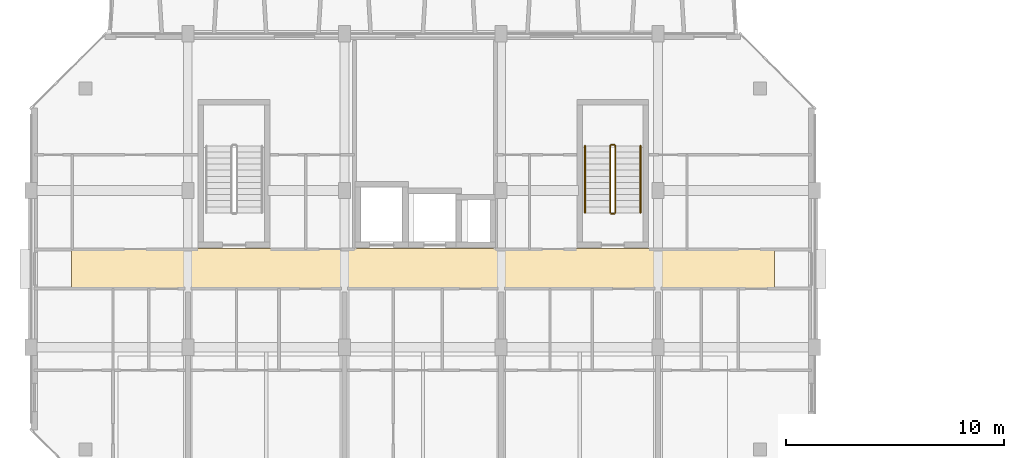
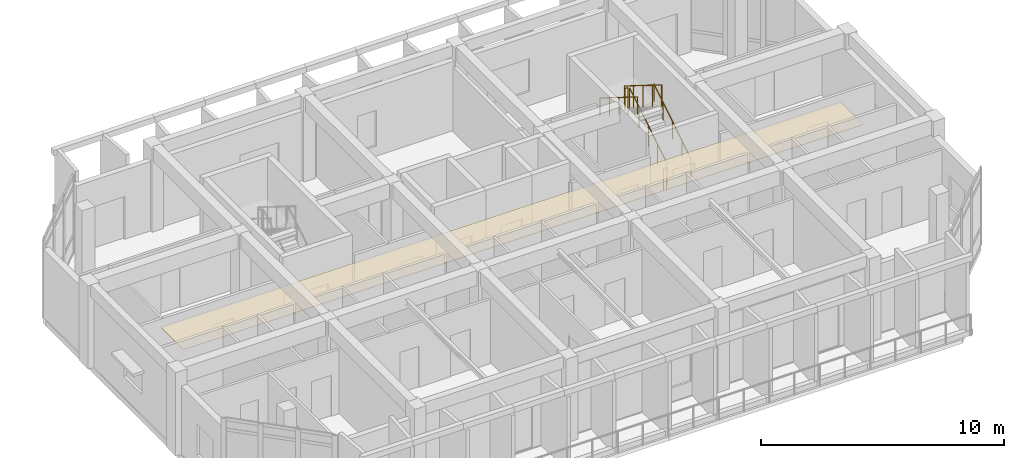
# One storey, part 70 of 85: 6 railings, 1 covering.
"""IFC4 building model written with IfcOpenShell, lengths in metres."""

from ifc_helpers import new_model, si_unit, direction, frame, origin, origin_2d, place, context, subcontext, project, spatial, polyline, circle, outline, extrude, material, layer, layer_set, type_object, element, save


model = new_model("IFC4")

# Units and contexts
model_context = context("Model", 3, precision=1e-05, world=origin(), true_north=direction((0.0, 1.0)))
body_context = subcontext(model_context, "Body", "Model", "MODEL_VIEW")
ifc_project = project(units=[si_unit("LENGTHUNIT", "METRE"), si_unit("AREAUNIT", "SQUARE_METRE"), si_unit("VOLUMEUNIT", "CUBIC_METRE"), si_unit("PLANEANGLEUNIT", "RADIAN"), si_unit("MASSUNIT", "GRAM", prefix="KILO")], contexts=[model_context])

# Site, building, storey
site_placement = place(None, origin())
site = spatial("IfcSite", under=ifc_project, at=site_placement, CompositionType="ELEMENT")
building_placement = place(site_placement, origin())
building = spatial("IfcBuilding", under=site, at=building_placement, Name="Ochrevale Crest", CompositionType="ELEMENT")
storey_placement = place(building_placement, frame((0.0, 0.0, 4.5)))
storey = spatial("IfcBuildingStorey", under=building, at=storey_placement, Name="L01", CompositionType="ELEMENT", Elevation=4.5)

# Covering
ifc_material_1 = material(Name="Gypsum plasterboard", Category="gypsum")
ifc_layer = layer(ifc_material_1, 0.02490234375)
ifc_layer_set = layer_set([ifc_layer], Name="Gypsum plasterboard")
covering_type = type_object("IfcCoveringType", Name="COV-CEIL-GYP", PredefinedType="CEILING", material=ifc_layer_set)
covering_placement = place(storey_placement, frame((0.0, 0.0, 2.75)))
element("IfcCovering", 1, at=covering_placement, inside=storey, type_object=covering_type, Name="Block A L01 acoustic corridor ceiling", PredefinedType="CEILING", context=body_context, shape_type="SweptSolid", body=[
    extrude(outline(polyline([(1.85009765625, 24.260009765625), (34.14990234375, 24.260009765625), (34.14990234375, 26.139892578125), (1.85009765625, 26.139892578125), (1.85009765625, 24.260009765625)])), origin(), (0.0, 0.0, 1.0), 0.02490234375),
])

# Railings
ifc_material_2 = material(Name="Galvanised steel", Category="steel")
railing_type_1 = type_object("IfcRailingType", Name="RL-ST-GUARD", PredefinedType="BALUSTRADE", material=ifc_material_2)
railing_1_placement = place(storey_placement, frame((26.85009765625, 27.77490234375, 0.175048828125)))
element("IfcRailing", 2, at=railing_1_placement, inside=storey, type_object=railing_type_1, Name="L01 ST-A2 stair guard 1", PredefinedType="BALUSTRADE", context=body_context, shape_type="SweptSolid", body=[
    extrude(circle(Radius=0.02392578125, at=origin_2d()), frame((0.0, 0.0, 1.076171875), z_axis=(0.0, 0.847998304005, 0.529998940003), x_axis=(-1.0, 0.0, 0.0)), (0.0, 0.0, 1.0), 3.632080078125),
    extrude(circle(Radius=0.02099609375, at=origin_2d()), origin(), (0.0, 0.0, 1.0), 1.052001953125),
    extrude(circle(Radius=0.02099609375, at=origin_2d()), frame((0.0, 0.77001953125, 0.481201171875)), (0.0, 0.0, 1.0), 1.052001953125),
    extrude(circle(Radius=0.02099609375, at=origin_2d()), frame((0.0, 1.5400390625, 0.96240234375)), (0.0, 0.0, 1.0), 1.052001953125),
    extrude(circle(Radius=0.02099609375, at=origin_2d()), frame((0.0, 2.31005859375, 1.44384765625)), (0.0, 0.0, 1.0), 1.052001953125),
    extrude(circle(Radius=0.02099609375, at=origin_2d()), frame((0.0, 3.080078125, 1.925048828125)), (0.0, 0.0, 1.0), 1.052001953125),
])
railing_2_placement = place(storey_placement, frame((26.800048828125, 30.905029296875, 2.10009765625)))
element("IfcRailing", 3, at=railing_2_placement, inside=storey, type_object=railing_type_1, Name="L01 ST-A2 stair guard 2", PredefinedType="BALUSTRADE", context=body_context, shape_type="SweptSolid", body=[
    extrude(circle(Radius=0.02392578125, at=origin_2d()), frame((0.0, 0.0, 1.076171875), z_axis=(-1.0, 0.0, 0.0), x_axis=(0.0, -1.0, 0.0)), (0.0, 0.0, 1.0), 0.150146484375),
    extrude(circle(Radius=0.02099609375, at=origin_2d()), origin(), (0.0, 0.0, 1.0), 1.052001953125),
    extrude(circle(Radius=0.02099609375, at=origin_2d()), frame((-0.150146484375, 0.0, 0.0)), (0.0, 0.0, 1.0), 1.052001953125),
])
railing_3_placement = place(storey_placement, frame((26.60009765625, 30.85498046875, 2.27490234375)))
element("IfcRailing", 4, at=railing_3_placement, inside=storey, type_object=railing_type_1, Name="L01 ST-A2 stair guard 3", PredefinedType="BALUSTRADE", context=body_context, shape_type="SweptSolid", body=[
    extrude(circle(Radius=0.02392578125, at=origin_2d()), frame((0.0, 0.0, 1.076171875), z_axis=(0.0, -0.847998304005, 0.529998940003), x_axis=(1.0, 0.0, 0.0)), (0.0, 0.0, 1.0), 3.632080078125),
    extrude(circle(Radius=0.02099609375, at=origin_2d()), origin(), (0.0, 0.0, 1.0), 1.052001953125),
    extrude(circle(Radius=0.02099609375, at=origin_2d()), frame((0.0, -0.77001953125, 0.481201171875)), (0.0, 0.0, 1.0), 1.052001953125),
    extrude(circle(Radius=0.02099609375, at=origin_2d()), frame((0.0, -1.5400390625, 0.96240234375)), (0.0, 0.0, 1.0), 1.052001953125),
    extrude(circle(Radius=0.02099609375, at=origin_2d()), frame((0.0, -2.31005859375, 1.44384765625)), (0.0, 0.0, 1.0), 1.052001953125),
    extrude(circle(Radius=0.02099609375, at=origin_2d()), frame((0.0, -3.080078125, 1.925048828125)), (0.0, 0.0, 1.0), 1.052001953125),
])
railing_4_placement = place(storey_placement, frame((26.800048828125, 27.72509765625, 0.0)))
element("IfcRailing", 5, at=railing_4_placement, inside=storey, type_object=railing_type_1, Name="L01 ST-A2 stair guard 4", PredefinedType="BALUSTRADE", context=body_context, shape_type="SweptSolid", body=[
    extrude(circle(Radius=0.02392578125, at=origin_2d()), frame((0.0, 0.0, 1.076171875), z_axis=(-1.0, 0.0, 0.0), x_axis=(0.0, -1.0, 0.0)), (0.0, 0.0, 1.0), 0.150146484375),
    extrude(circle(Radius=0.02099609375, at=origin_2d()), origin(), (0.0, 0.0, 1.0), 1.052001953125),
    extrude(circle(Radius=0.02099609375, at=origin_2d()), frame((-0.150146484375, 0.0, 0.0)), (0.0, 0.0, 1.0), 1.052001953125),
])
ifc_material_3 = material(Name="Stainless steel", Category="steel")
railing_type_2 = type_object("IfcRailingType", Name="RL-ST-HRAIL", PredefinedType="HANDRAIL", material=ifc_material_3)
railing_5_placement = place(storey_placement, frame((28.0, 27.77490234375, 0.175048828125)))
element("IfcRailing", 6, at=railing_5_placement, inside=storey, type_object=railing_type_2, Name="L01 ST-A2 stair handrail 1", PredefinedType="HANDRAIL", context=body_context, shape_type="SweptSolid", body=[
    extrude(circle(Radius=0.02392578125, at=origin_2d()), frame((0.0, 0.0, 0.8759765625), z_axis=(0.0, 0.847998304005, 0.529998940003), x_axis=(-1.0, 0.0, 0.0)), (0.0, 0.0, 1.0), 3.632080078125),
    extrude(circle(Radius=0.02099609375, at=origin_2d()), origin(), (0.0, 0.0, 1.0), 0.851806640625),
    extrude(circle(Radius=0.02099609375, at=origin_2d()), frame((0.0, 0.77001953125, 0.481201171875)), (0.0, 0.0, 1.0), 0.851806640625),
    extrude(circle(Radius=0.02099609375, at=origin_2d()), frame((0.0, 1.5400390625, 0.96240234375)), (0.0, 0.0, 1.0), 0.851806640625),
    extrude(circle(Radius=0.02099609375, at=origin_2d()), frame((0.0, 2.31005859375, 1.44384765625)), (0.0, 0.0, 1.0), 0.851806640625),
    extrude(circle(Radius=0.02099609375, at=origin_2d()), frame((0.0, 3.080078125, 1.925048828125)), (0.0, 0.0, 1.0), 0.851806640625),
])
railing_6_placement = place(storey_placement, frame((25.449951171875, 30.85498046875, 2.27490234375)))
element("IfcRailing", 7, at=railing_6_placement, inside=storey, type_object=railing_type_2, Name="L01 ST-A2 stair handrail 2", PredefinedType="HANDRAIL", context=body_context, shape_type="SweptSolid", body=[
    extrude(circle(Radius=0.02392578125, at=origin_2d()), frame((0.0, 0.0, 0.8759765625), z_axis=(0.0, -0.847998304005, 0.529998940003), x_axis=(1.0, 0.0, 0.0)), (0.0, 0.0, 1.0), 3.632080078125),
    extrude(circle(Radius=0.02099609375, at=origin_2d()), origin(), (0.0, 0.0, 1.0), 0.851806640625),
    extrude(circle(Radius=0.02099609375, at=origin_2d()), frame((0.0, -0.77001953125, 0.481201171875)), (0.0, 0.0, 1.0), 0.851806640625),
    extrude(circle(Radius=0.02099609375, at=origin_2d()), frame((0.0, -1.5400390625, 0.96240234375)), (0.0, 0.0, 1.0), 0.851806640625),
    extrude(circle(Radius=0.02099609375, at=origin_2d()), frame((0.0, -2.31005859375, 1.44384765625)), (0.0, 0.0, 1.0), 0.851806640625),
    extrude(circle(Radius=0.02099609375, at=origin_2d()), frame((0.0, -3.080078125, 1.925048828125)), (0.0, 0.0, 1.0), 0.851806640625),
])

save(model, "model.ifc")
